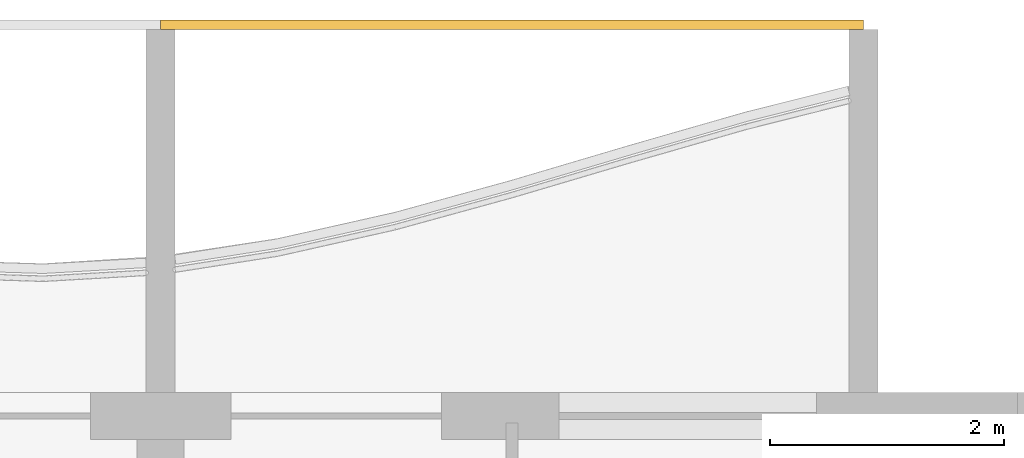
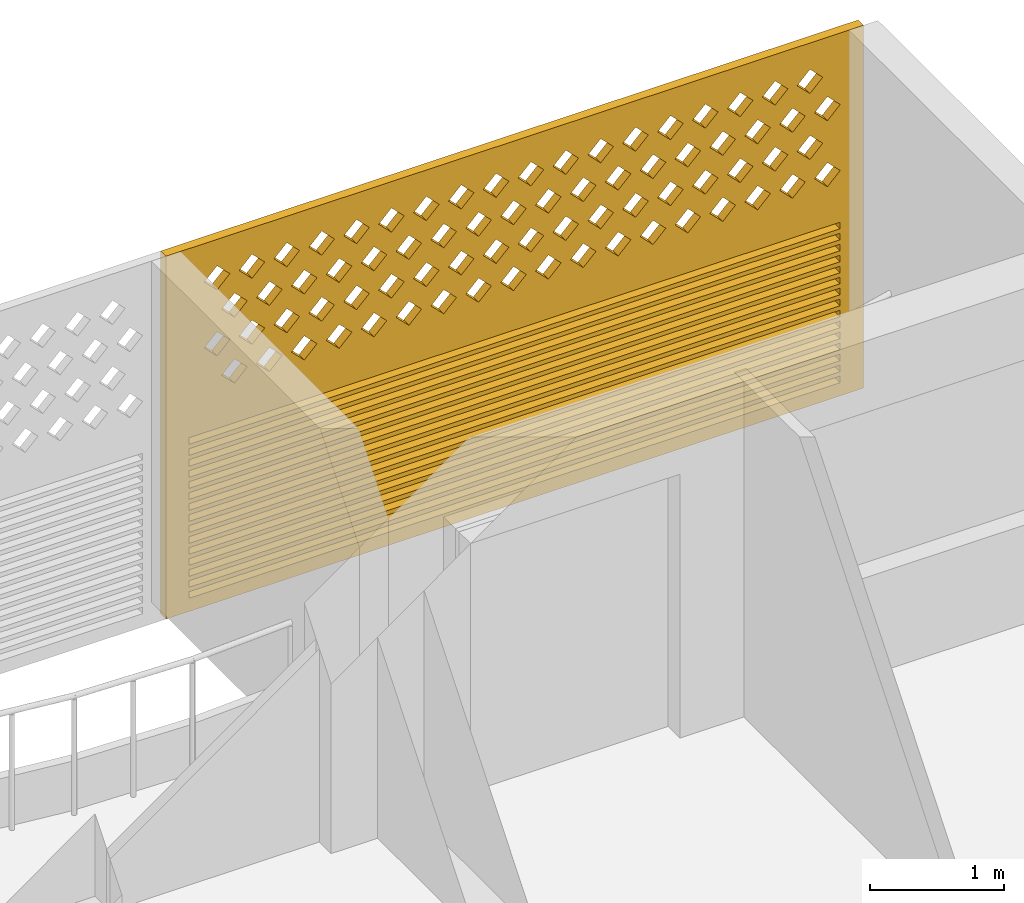
# One storey, part 44 of 44: 1 covering.
"""IFC4 building model written with IfcOpenShell, lengths in metres."""

import ifcopenshell
import ifcopenshell.guid

model = None  # the IFC model being written
_history = None  # IfcOwnerHistory: only IFC2X3 demands one
_inside = {}  # id of a spatial element -> (the spatial element, [elements in it])
_under = {}  # id of a project, library or spatial element -> (it, [spatial elements below it])
_declared = {}  # id of a project -> (the project, [libraries it declares])
_typed = {}  # id of a type object -> (the type object, [elements of that type])
_made_of = {}  # id of a material, layer set ... -> (it, [elements and type objects made of it])


def new_model(schema):
    """Start an empty IFC model of exactly this schema.

    Asked for "IFC4X3", IfcOpenShell would pick the latest addendum, in which some entities
    have other attributes; the version numbers below select the first issue.
    IFC2X3 requires an IfcOwnerHistory on every rooted entity: one is made here for all.
    """
    global model, _history
    if schema == "IFC4X3":
        model = ifcopenshell.file(schema_version=(4, 3, 0, 0))
    else:
        model = ifcopenshell.file(schema=schema)
    _inside.clear()
    _under.clear()
    _declared.clear()
    _typed.clear()
    _made_of.clear()
    _history = None
    if model.schema == "IFC2X3":
        org = make("IfcOrganization", Name="unknown")
        user = make(
            "IfcPersonAndOrganization",
            ThePerson=make("IfcPerson", FamilyName="unknown"),
            TheOrganization=org,
        )
        app = make(
            "IfcApplication",
            ApplicationDeveloper=org,
            Version="unknown",
            ApplicationFullName="unknown",
            ApplicationIdentifier="unknown",
        )
        _history = make(
            "IfcOwnerHistory",
            OwningUser=user,
            OwningApplication=app,
            ChangeAction="ADDED",
            CreationDate=0,
        )
    return model


def make(cls, **values):
    """One entity of the class cls with the attributes given. An attribute that is None is left unset."""
    return model.create_entity(
        cls, **{name: value for name, value in values.items() if value is not None}
    )


def rooted(cls, **values):
    """An entity with a GlobalId (a new one), such as an element, a storey or a relation."""
    return make(cls, GlobalId=ifcopenshell.guid.new(), OwnerHistory=_history, **values)


def si_unit(unit_type, name, prefix=None):
    """IfcSIUnit, for example si_unit("LENGTHUNIT", "METRE", prefix="MILLI")."""
    return make("IfcSIUnit", UnitType=unit_type, Prefix=prefix, Name=name)


def assignment(units):
    """IfcUnitAssignment: the units of a project."""
    return None if units is None else make("IfcUnitAssignment", Units=units)


def point(xyz):
    """IfcCartesianPoint."""
    return None if xyz is None else make("IfcCartesianPoint", Coordinates=xyz)


def direction(xyz):
    """IfcDirection."""
    return None if xyz is None else make("IfcDirection", DirectionRatios=xyz)


def frame(location, z_axis=None, x_axis=None):
    """IfcAxis2Placement3D, a coordinate frame: its origin and axes. An axis left out is left unset."""
    return make(
        "IfcAxis2Placement3D",
        Location=point(location),
        Axis=direction(z_axis),
        RefDirection=direction(x_axis),
    )


def origin():
    """The frame at (0, 0, 0) with its axes left unset."""
    return frame((0.0, 0.0, 0.0))


def place(relative_to, where):
    """IfcLocalPlacement: puts the frame where relative to a parent placement (None: the world)."""
    return make(
        "IfcLocalPlacement", PlacementRelTo=relative_to, RelativePlacement=where
    )


def context(
    kind, dimensions, precision=None, world=None, true_north=None, identifier=None
):
    """IfcGeometricRepresentationContext, for example the 3D "Model" context."""
    return make(
        "IfcGeometricRepresentationContext",
        ContextIdentifier=identifier,
        ContextType=kind,
        CoordinateSpaceDimension=dimensions,
        Precision=precision,
        WorldCoordinateSystem=world,
        TrueNorth=true_north,
    )


def subcontext(parent, identifier, kind, view, scale=None):
    """IfcGeometricRepresentationSubContext, for example "Body" below "Model"."""
    return make(
        "IfcGeometricRepresentationSubContext",
        ContextIdentifier=identifier,
        ContextType=kind,
        ParentContext=parent,
        TargetScale=scale,
        TargetView=view,
    )


def project(units=None, contexts=None):
    """IfcProject with its units and contexts."""
    return rooted(
        "IfcProject",
        Name="project",
        RepresentationContexts=contexts,
        UnitsInContext=assignment(units),
    )


def spatial(cls, under=None, at=None, **own):
    """A site, building, storey or space (cls), placed at a placement, below another one or the project."""
    s = rooted(cls, ObjectPlacement=at, **own)
    if under is not None:
        _under.setdefault(under.id(), (under, []))[1].append(s)
    return s


def polyline(points):
    """IfcPolyline through the points."""
    return make("IfcPolyline", Points=[point(p) for p in points])


def outline(outer, holes=None, kind="AREA"):
    """IfcArbitraryClosedProfileDef: a profile drawn as a closed curve; with holes, ...WithVoids."""
    if holes is None:
        return make("IfcArbitraryClosedProfileDef", ProfileType=kind, OuterCurve=outer)
    return make(
        "IfcArbitraryProfileDefWithVoids",
        ProfileType=kind,
        OuterCurve=outer,
        InnerCurves=holes,
    )


def extrude(swept, where, along, depth):
    """IfcExtrudedAreaSolid: the profile swept, set in the frame where, extruded along a direction by depth."""
    return make(
        "IfcExtrudedAreaSolid",
        SweptArea=swept,
        Position=where,
        ExtrudedDirection=direction(along),
        Depth=depth,
    )


def shape(context_of_items, identifier, shape_type, items):
    """IfcShapeRepresentation: the items that make up one representation, for example the "Body"."""
    return make(
        "IfcShapeRepresentation",
        ContextOfItems=context_of_items,
        RepresentationIdentifier=identifier,
        RepresentationType=shape_type,
        Items=items,
    )


def source(mapping_origin, context_of_items, identifier, shape_type, items):
    """IfcRepresentationMap: a shape defined once, which mapped items show again and again."""
    return make(
        "IfcRepresentationMap",
        MappingOrigin=mapping_origin,
        MappedRepresentation=shape(context_of_items, identifier, shape_type, items),
    )


def transform(
    local_origin,
    x_axis=None,
    y_axis=None,
    z_axis=None,
    scale=None,
    scale2=None,
    scale3=None,
    uniform=True,
):
    """IfcCartesianTransformationOperator3D, or its non-uniform kind. x_axis, y_axis, z_axis: its Axis1, 2, 3."""
    if uniform:
        return make(
            "IfcCartesianTransformationOperator3D",
            Axis1=direction(x_axis),
            Axis2=direction(y_axis),
            LocalOrigin=point(local_origin),
            Scale=scale,
            Axis3=direction(z_axis),
        )
    return make(
        "IfcCartesianTransformationOperator3DnonUniform",
        Axis1=direction(x_axis),
        Axis2=direction(y_axis),
        LocalOrigin=point(local_origin),
        Scale=scale,
        Axis3=direction(z_axis),
        Scale2=scale2,
        Scale3=scale3,
    )


def mapped(mapping_source, mapping_target):
    """IfcMappedItem: shows the shape of a source again, moved by a transform."""
    return make(
        "IfcMappedItem", MappingSource=mapping_source, MappingTarget=mapping_target
    )


def material(Name=None, Category=None):
    """IfcMaterial."""
    return make("IfcMaterial", Name=Name, Category=Category)


def material_profile(
    of_material, cross_section, Name=None, Category=None, Priority=None
):
    """IfcMaterialProfile: a cross section and its material."""
    return make(
        "IfcMaterialProfile",
        Name=Name,
        Material=of_material,
        Profile=cross_section,
        Priority=Priority,
        Category=Category,
    )


def profile_set(profiles, Name=None, composite=None):
    """IfcMaterialProfileSet."""
    return make(
        "IfcMaterialProfileSet",
        Name=Name,
        MaterialProfiles=profiles,
        CompositeProfile=composite,
    )


def made_of(thing, what):
    """Note that an element or type object is made of a material, layer set ...; save() writes the relation."""
    if what is not None:
        _made_of.setdefault(what.id(), (what, []))[1].append(thing)
    return thing


def type_object(cls, material=None, **own):
    """A type object (cls), such as IfcWallType, which elements share."""
    return made_of(rooted(cls, **own), material)


def element(
    cls,
    number,
    at=None,
    inside=None,
    cuts=None,
    type_object=None,
    material=None,
    context=None,
    identifier="Body",
    shape_type=None,
    held_by="IfcProductDefinitionShape",
    body=None,
    shapes=None,
    **own,
):
    """One element of the class cls, such as IfcWall. Its Tag is "e" and its number.

    at: its placement. inside: the storey or other place that contains it. cuts: it is an
    opening in that element (IfcRelVoidsElement). A single representation is given by context,
    identifier, shape_type and body (its items); several are given by shapes. held_by: the class
    of the entity that holds the representations. save() writes the other relations.
    """
    e = rooted(cls, Tag="e%d" % number, ObjectPlacement=at, **own)
    if body is not None:
        shapes = [shape(context, identifier, shape_type, body)]
    if shapes is not None:
        e.Representation = make(held_by, Representations=shapes)
    if inside is not None:
        _inside.setdefault(inside.id(), (inside, []))[1].append(e)
    if cuts is not None:
        rooted(
            "IfcRelVoidsElement", RelatingBuildingElement=cuts, RelatedOpeningElement=e
        )
    if type_object is not None:
        _typed.setdefault(type_object.id(), (type_object, []))[1].append(e)
    return made_of(e, material)


def aggregate(whole, parts):
    """IfcRelAggregates: a whole, such as a stair, and the parts it consists of."""
    return rooted("IfcRelAggregates", RelatingObject=whole, RelatedObjects=parts)


def save(model, path):
    """Write the relations noted so far, then the file.

    IfcRelAggregates (storeys below a building ...), IfcRelContainedInSpatialStructure (elements
    in a storey), IfcRelDefinesByType, IfcRelAssociatesMaterial and IfcRelDeclares: one each for
    every whole, place, type object, material and project.
    """
    for whole, parts in _under.values():
        aggregate(whole, parts)
    for where, things in _inside.values():
        rooted(
            "IfcRelContainedInSpatialStructure",
            RelatedElements=things,
            RelatingStructure=where,
        )
    for kind, things in _typed.values():
        rooted("IfcRelDefinesByType", RelatedObjects=things, RelatingType=kind)
    for what, things in _made_of.values():
        rooted("IfcRelAssociatesMaterial", RelatedObjects=things, RelatingMaterial=what)
    for by, libraries in _declared.values():
        rooted("IfcRelDeclares", RelatingContext=by, RelatedDefinitions=libraries)
    model.write(path)


model = new_model("IFC4")

# Units and contexts
model_context = context("Model", 3, precision=1e-05, world=origin(), true_north=direction((0.0, 1.0)))
body_context = subcontext(model_context, "Body", "Model", "MODEL_VIEW")
ifc_project = project(units=[si_unit("LENGTHUNIT", "METRE"), si_unit("AREAUNIT", "SQUARE_METRE"), si_unit("VOLUMEUNIT", "CUBIC_METRE"), si_unit("PLANEANGLEUNIT", "RADIAN"), si_unit("MASSUNIT", "GRAM", prefix="KILO")], contexts=[model_context])

# Site, building, storey
site_placement = place(None, origin())
site = spatial("IfcSite", under=ifc_project, at=site_placement, CompositionType="ELEMENT")
building_placement = place(site_placement, origin())
building = spatial("IfcBuilding", under=site, at=building_placement, Name="Poui Terraces", CompositionType="ELEMENT")
storey_placement = place(building_placement, frame((0.0, 0.0, 26.699951171875)))
storey = spatial("IfcBuildingStorey", under=building, at=storey_placement, Name="L06", CompositionType="ELEMENT", Elevation=26.699951171875)

# Covering
ifc_material = material(Name="Terracotta screen", Category="masonry")
ifc_material_profile = material_profile(ifc_material, outline(polyline([(-3.0, -1.64990234375), (3.0, -1.64990234375), (3.0, 1.64990234375), (-3.0, 1.64990234375), (-3.0, -1.64990234375)]), holes=[polyline([(-2.800048828125, 0.39990234375), (-2.68994140625, 0.2900390625), (-2.580078125, 0.39990234375), (-2.68994140625, 0.510009765625), (-2.800048828125, 0.39990234375)]), polyline([(-2.5, 0.39990234375), (-2.389892578125, 0.2900390625), (-2.280029296875, 0.39990234375), (-2.389892578125, 0.510009765625), (-2.5, 0.39990234375)]), polyline([(-2.199951171875, 0.39990234375), (-2.090087890625, 0.2900390625), (-1.97998046875, 0.39990234375), (-2.090087890625, 0.510009765625), (-2.199951171875, 0.39990234375)]), polyline([(-1.89990234375, 0.39990234375), (-1.7900390625, 0.2900390625), (-1.679931640625, 0.39990234375), (-1.7900390625, 0.510009765625), (-1.89990234375, 0.39990234375)]), polyline([(-1.60009765625, 0.39990234375), (-1.489990234375, 0.2900390625), (-1.3798828125, 0.39990234375), (-1.489990234375, 0.510009765625), (-1.60009765625, 0.39990234375)]), polyline([(-1.300048828125, 0.39990234375), (-1.18994140625, 0.2900390625), (-1.080078125, 0.39990234375), (-1.18994140625, 0.510009765625), (-1.300048828125, 0.39990234375)]), polyline([(-1.0, 0.39990234375), (-0.889892578125, 0.2900390625), (-0.780029296875, 0.39990234375), (-0.889892578125, 0.510009765625), (-1.0, 0.39990234375)]), polyline([(-0.699951171875, 0.39990234375), (-0.590087890625, 0.2900390625), (-0.47998046875, 0.39990234375), (-0.590087890625, 0.510009765625), (-0.699951171875, 0.39990234375)]), polyline([(-0.39990234375, 0.39990234375), (-0.2900390625, 0.2900390625), (-0.179931640625, 0.39990234375), (-0.2900390625, 0.510009765625), (-0.39990234375, 0.39990234375)]), polyline([(-0.10009765625, 0.39990234375), (0.010009765625, 0.2900390625), (0.1201171875, 0.39990234375), (0.010009765625, 0.510009765625), (-0.10009765625, 0.39990234375)]), polyline([(0.199951171875, 0.39990234375), (0.31005859375, 0.2900390625), (0.419921875, 0.39990234375), (0.31005859375, 0.510009765625), (0.199951171875, 0.39990234375)]), polyline([(0.5, 0.39990234375), (0.610107421875, 0.2900390625), (0.719970703125, 0.39990234375), (0.610107421875, 0.510009765625), (0.5, 0.39990234375)]), polyline([(0.800048828125, 0.39990234375), (0.909912109375, 0.2900390625), (1.02001953125, 0.39990234375), (0.909912109375, 0.510009765625), (0.800048828125, 0.39990234375)]), polyline([(1.10009765625, 0.39990234375), (1.2099609375, 0.2900390625), (1.320068359375, 0.39990234375), (1.2099609375, 0.510009765625), (1.10009765625, 0.39990234375)]), polyline([(1.39990234375, 0.39990234375), (1.510009765625, 0.2900390625), (1.6201171875, 0.39990234375), (1.510009765625, 0.510009765625), (1.39990234375, 0.39990234375)]), polyline([(1.699951171875, 0.39990234375), (1.81005859375, 0.2900390625), (1.919921875, 0.39990234375), (1.81005859375, 0.510009765625), (1.699951171875, 0.39990234375)]), polyline([(2.0, 0.39990234375), (2.110107421875, 0.2900390625), (2.219970703125, 0.39990234375), (2.110107421875, 0.510009765625), (2.0, 0.39990234375)]), polyline([(2.300048828125, 0.39990234375), (2.409912109375, 0.2900390625), (2.52001953125, 0.39990234375), (2.409912109375, 0.510009765625), (2.300048828125, 0.39990234375)]), polyline([(-2.64990234375, 0.699951171875), (-2.5400390625, 0.590087890625), (-2.429931640625, 0.699951171875), (-2.5400390625, 0.81005859375), (-2.64990234375, 0.699951171875)]), polyline([(-2.35009765625, 0.699951171875), (-2.239990234375, 0.590087890625), (-2.1298828125, 0.699951171875), (-2.239990234375, 0.81005859375), (-2.35009765625, 0.699951171875)]), polyline([(-2.050048828125, 0.699951171875), (-1.93994140625, 0.590087890625), (-1.830078125, 0.699951171875), (-1.93994140625, 0.81005859375), (-2.050048828125, 0.699951171875)]), polyline([(-1.75, 0.699951171875), (-1.639892578125, 0.590087890625), (-1.530029296875, 0.699951171875), (-1.639892578125, 0.81005859375), (-1.75, 0.699951171875)]), polyline([(-1.449951171875, 0.699951171875), (-1.340087890625, 0.590087890625), (-1.22998046875, 0.699951171875), (-1.340087890625, 0.81005859375), (-1.449951171875, 0.699951171875)]), polyline([(-1.14990234375, 0.699951171875), (-1.0400390625, 0.590087890625), (-0.929931640625, 0.699951171875), (-1.0400390625, 0.81005859375), (-1.14990234375, 0.699951171875)]), polyline([(-0.85009765625, 0.699951171875), (-0.739990234375, 0.590087890625), (-0.6298828125, 0.699951171875), (-0.739990234375, 0.81005859375), (-0.85009765625, 0.699951171875)]), polyline([(-0.550048828125, 0.699951171875), (-0.43994140625, 0.590087890625), (-0.330078125, 0.699951171875), (-0.43994140625, 0.81005859375), (-0.550048828125, 0.699951171875)]), polyline([(-0.25, 0.699951171875), (-0.139892578125, 0.590087890625), (-0.030029296875, 0.699951171875), (-0.139892578125, 0.81005859375), (-0.25, 0.699951171875)]), polyline([(0.050048828125, 0.699951171875), (0.159912109375, 0.590087890625), (0.27001953125, 0.699951171875), (0.159912109375, 0.81005859375), (0.050048828125, 0.699951171875)]), polyline([(0.35009765625, 0.699951171875), (0.4599609375, 0.590087890625), (0.570068359375, 0.699951171875), (0.4599609375, 0.81005859375), (0.35009765625, 0.699951171875)]), polyline([(0.64990234375, 0.699951171875), (0.760009765625, 0.590087890625), (0.8701171875, 0.699951171875), (0.760009765625, 0.81005859375), (0.64990234375, 0.699951171875)]), polyline([(0.949951171875, 0.699951171875), (1.06005859375, 0.590087890625), (1.169921875, 0.699951171875), (1.06005859375, 0.81005859375), (0.949951171875, 0.699951171875)]), polyline([(1.25, 0.699951171875), (1.360107421875, 0.590087890625), (1.469970703125, 0.699951171875), (1.360107421875, 0.81005859375), (1.25, 0.699951171875)]), polyline([(1.550048828125, 0.699951171875), (1.659912109375, 0.590087890625), (1.77001953125, 0.699951171875), (1.659912109375, 0.81005859375), (1.550048828125, 0.699951171875)]), polyline([(1.85009765625, 0.699951171875), (1.9599609375, 0.590087890625), (2.070068359375, 0.699951171875), (1.9599609375, 0.81005859375), (1.85009765625, 0.699951171875)]), polyline([(2.14990234375, 0.699951171875), (2.260009765625, 0.590087890625), (2.3701171875, 0.699951171875), (2.260009765625, 0.81005859375), (2.14990234375, 0.699951171875)]), polyline([(2.449951171875, 0.699951171875), (2.56005859375, 0.590087890625), (2.669921875, 0.699951171875), (2.56005859375, 0.81005859375), (2.449951171875, 0.699951171875)]), polyline([(-2.800048828125, 1.0), (-2.68994140625, 0.889892578125), (-2.580078125, 1.0), (-2.68994140625, 1.110107421875), (-2.800048828125, 1.0)]), polyline([(-2.5, 1.0), (-2.389892578125, 0.889892578125), (-2.280029296875, 1.0), (-2.389892578125, 1.110107421875), (-2.5, 1.0)]), polyline([(-2.199951171875, 1.0), (-2.090087890625, 0.889892578125), (-1.97998046875, 1.0), (-2.090087890625, 1.110107421875), (-2.199951171875, 1.0)]), polyline([(-1.89990234375, 1.0), (-1.7900390625, 0.889892578125), (-1.679931640625, 1.0), (-1.7900390625, 1.110107421875), (-1.89990234375, 1.0)]), polyline([(-1.60009765625, 1.0), (-1.489990234375, 0.889892578125), (-1.3798828125, 1.0), (-1.489990234375, 1.110107421875), (-1.60009765625, 1.0)]), polyline([(-1.300048828125, 1.0), (-1.18994140625, 0.889892578125), (-1.080078125, 1.0), (-1.18994140625, 1.110107421875), (-1.300048828125, 1.0)]), polyline([(-1.0, 1.0), (-0.889892578125, 0.889892578125), (-0.780029296875, 1.0), (-0.889892578125, 1.110107421875), (-1.0, 1.0)]), polyline([(-0.699951171875, 1.0), (-0.590087890625, 0.889892578125), (-0.47998046875, 1.0), (-0.590087890625, 1.110107421875), (-0.699951171875, 1.0)]), polyline([(-0.39990234375, 1.0), (-0.2900390625, 0.889892578125), (-0.179931640625, 1.0), (-0.2900390625, 1.110107421875), (-0.39990234375, 1.0)]), polyline([(-0.10009765625, 1.0), (0.010009765625, 0.889892578125), (0.1201171875, 1.0), (0.010009765625, 1.110107421875), (-0.10009765625, 1.0)]), polyline([(0.199951171875, 1.0), (0.31005859375, 0.889892578125), (0.419921875, 1.0), (0.31005859375, 1.110107421875), (0.199951171875, 1.0)]), polyline([(0.5, 1.0), (0.610107421875, 0.889892578125), (0.719970703125, 1.0), (0.610107421875, 1.110107421875), (0.5, 1.0)]), polyline([(0.800048828125, 1.0), (0.909912109375, 0.889892578125), (1.02001953125, 1.0), (0.909912109375, 1.110107421875), (0.800048828125, 1.0)]), polyline([(1.10009765625, 1.0), (1.2099609375, 0.889892578125), (1.320068359375, 1.0), (1.2099609375, 1.110107421875), (1.10009765625, 1.0)]), polyline([(1.39990234375, 1.0), (1.510009765625, 0.889892578125), (1.6201171875, 1.0), (1.510009765625, 1.110107421875), (1.39990234375, 1.0)]), polyline([(1.699951171875, 1.0), (1.81005859375, 0.889892578125), (1.919921875, 1.0), (1.81005859375, 1.110107421875), (1.699951171875, 1.0)]), polyline([(2.0, 1.0), (2.110107421875, 0.889892578125), (2.219970703125, 1.0), (2.110107421875, 1.110107421875), (2.0, 1.0)]), polyline([(2.300048828125, 1.0), (2.409912109375, 0.889892578125), (2.52001953125, 1.0), (2.409912109375, 1.110107421875), (2.300048828125, 1.0)]), polyline([(-2.64990234375, 1.300048828125), (-2.5400390625, 1.18994140625), (-2.429931640625, 1.300048828125), (-2.5400390625, 1.409912109375), (-2.64990234375, 1.300048828125)]), polyline([(-2.35009765625, 1.300048828125), (-2.239990234375, 1.18994140625), (-2.1298828125, 1.300048828125), (-2.239990234375, 1.409912109375), (-2.35009765625, 1.300048828125)]), polyline([(-2.050048828125, 1.300048828125), (-1.93994140625, 1.18994140625), (-1.830078125, 1.300048828125), (-1.93994140625, 1.409912109375), (-2.050048828125, 1.300048828125)]), polyline([(-1.75, 1.300048828125), (-1.639892578125, 1.18994140625), (-1.530029296875, 1.300048828125), (-1.639892578125, 1.409912109375), (-1.75, 1.300048828125)]), polyline([(-1.449951171875, 1.300048828125), (-1.340087890625, 1.18994140625), (-1.22998046875, 1.300048828125), (-1.340087890625, 1.409912109375), (-1.449951171875, 1.300048828125)]), polyline([(-1.14990234375, 1.300048828125), (-1.0400390625, 1.18994140625), (-0.929931640625, 1.300048828125), (-1.0400390625, 1.409912109375), (-1.14990234375, 1.300048828125)]), polyline([(-0.85009765625, 1.300048828125), (-0.739990234375, 1.18994140625), (-0.6298828125, 1.300048828125), (-0.739990234375, 1.409912109375), (-0.85009765625, 1.300048828125)]), polyline([(-0.550048828125, 1.300048828125), (-0.43994140625, 1.18994140625), (-0.330078125, 1.300048828125), (-0.43994140625, 1.409912109375), (-0.550048828125, 1.300048828125)]), polyline([(-0.25, 1.300048828125), (-0.139892578125, 1.18994140625), (-0.030029296875, 1.300048828125), (-0.139892578125, 1.409912109375), (-0.25, 1.300048828125)]), polyline([(0.050048828125, 1.300048828125), (0.159912109375, 1.18994140625), (0.27001953125, 1.300048828125), (0.159912109375, 1.409912109375), (0.050048828125, 1.300048828125)]), polyline([(0.35009765625, 1.300048828125), (0.4599609375, 1.18994140625), (0.570068359375, 1.300048828125), (0.4599609375, 1.409912109375), (0.35009765625, 1.300048828125)]), polyline([(0.64990234375, 1.300048828125), (0.760009765625, 1.18994140625), (0.8701171875, 1.300048828125), (0.760009765625, 1.409912109375), (0.64990234375, 1.300048828125)]), polyline([(0.949951171875, 1.300048828125), (1.06005859375, 1.18994140625), (1.169921875, 1.300048828125), (1.06005859375, 1.409912109375), (0.949951171875, 1.300048828125)]), polyline([(1.25, 1.300048828125), (1.360107421875, 1.18994140625), (1.469970703125, 1.300048828125), (1.360107421875, 1.409912109375), (1.25, 1.300048828125)]), polyline([(1.550048828125, 1.300048828125), (1.659912109375, 1.18994140625), (1.77001953125, 1.300048828125), (1.659912109375, 1.409912109375), (1.550048828125, 1.300048828125)]), polyline([(1.85009765625, 1.300048828125), (1.9599609375, 1.18994140625), (2.070068359375, 1.300048828125), (1.9599609375, 1.409912109375), (1.85009765625, 1.300048828125)]), polyline([(2.14990234375, 1.300048828125), (2.260009765625, 1.18994140625), (2.3701171875, 1.300048828125), (2.260009765625, 1.409912109375), (2.14990234375, 1.300048828125)]), polyline([(2.449951171875, 1.300048828125), (2.56005859375, 1.18994140625), (2.669921875, 1.300048828125), (2.56005859375, 1.409912109375), (2.449951171875, 1.300048828125)]), polyline([(-2.800048828125, -1.530029296875), (2.800048828125, -1.530029296875), (2.800048828125, -1.469970703125), (-2.800048828125, -1.469970703125), (-2.800048828125, -1.530029296875)]), polyline([(-2.800048828125, -1.429931640625), (2.800048828125, -1.429931640625), (2.800048828125, -1.3701171875), (-2.800048828125, -1.3701171875), (-2.800048828125, -1.429931640625)]), polyline([(-2.800048828125, -1.330078125), (2.800048828125, -1.330078125), (2.800048828125, -1.27001953125), (-2.800048828125, -1.27001953125), (-2.800048828125, -1.330078125)]), polyline([(-2.800048828125, -1.22998046875), (2.800048828125, -1.22998046875), (2.800048828125, -1.169921875), (-2.800048828125, -1.169921875), (-2.800048828125, -1.22998046875)]), polyline([(-2.800048828125, -1.1298828125), (2.800048828125, -1.1298828125), (2.800048828125, -1.070068359375), (-2.800048828125, -1.070068359375), (-2.800048828125, -1.1298828125)]), polyline([(-2.800048828125, -1.030029296875), (2.800048828125, -1.030029296875), (2.800048828125, -0.969970703125), (-2.800048828125, -0.969970703125), (-2.800048828125, -1.030029296875)]), polyline([(-2.800048828125, -0.929931640625), (2.800048828125, -0.929931640625), (2.800048828125, -0.8701171875), (-2.800048828125, -0.8701171875), (-2.800048828125, -0.929931640625)]), polyline([(-2.800048828125, -0.830078125), (2.800048828125, -0.830078125), (2.800048828125, -0.77001953125), (-2.800048828125, -0.77001953125), (-2.800048828125, -0.830078125)]), polyline([(-2.800048828125, -0.72998046875), (2.800048828125, -0.72998046875), (2.800048828125, -0.669921875), (-2.800048828125, -0.669921875), (-2.800048828125, -0.72998046875)]), polyline([(-2.800048828125, -0.6298828125), (2.800048828125, -0.6298828125), (2.800048828125, -0.570068359375), (-2.800048828125, -0.570068359375), (-2.800048828125, -0.6298828125)]), polyline([(-2.800048828125, -0.530029296875), (2.800048828125, -0.530029296875), (2.800048828125, -0.469970703125), (-2.800048828125, -0.469970703125), (-2.800048828125, -0.530029296875)]), polyline([(-2.800048828125, -0.429931640625), (2.800048828125, -0.429931640625), (2.800048828125, -0.3701171875), (-2.800048828125, -0.3701171875), (-2.800048828125, -0.429931640625)]), polyline([(-2.800048828125, -0.330078125), (2.800048828125, -0.330078125), (2.800048828125, -0.27001953125), (-2.800048828125, -0.27001953125), (-2.800048828125, -0.330078125)]), polyline([(-2.800048828125, -0.22998046875), (2.800048828125, -0.22998046875), (2.800048828125, -0.169921875), (-2.800048828125, -0.169921875), (-2.800048828125, -0.22998046875)]), polyline([(-2.800048828125, -0.1298828125), (2.800048828125, -0.1298828125), (2.800048828125, -0.070068359375), (-2.800048828125, -0.070068359375), (-2.800048828125, -0.1298828125)])]), Name="TERRACOTTA SCREEN AND JALOUSIE LOUVRE 6000X3300")
ifc_profile_set = profile_set([ifc_material_profile], Name="Terracotta screen")
covering_type = type_object("IfcCoveringType", Name="TERRACOTTA SCREEN AND JALOUSIE LOUVRE 6000X3300", PredefinedType="CLADDING", material=ifc_profile_set)
shared_shape = source(origin(), body_context, "Body", "SweptSolid", [
    extrude(outline(polyline([(-3.0, -1.64990234375), (3.0, -1.64990234375), (3.0, 1.64990234375), (-3.0, 1.64990234375), (-3.0, -1.64990234375)]), holes=[polyline([(-2.800048828125, 0.39990234375), (-2.68994140625, 0.2900390625), (-2.580078125, 0.39990234375), (-2.68994140625, 0.510009765625), (-2.800048828125, 0.39990234375)]), polyline([(-2.5, 0.39990234375), (-2.389892578125, 0.2900390625), (-2.280029296875, 0.39990234375), (-2.389892578125, 0.510009765625), (-2.5, 0.39990234375)]), polyline([(-2.199951171875, 0.39990234375), (-2.090087890625, 0.2900390625), (-1.97998046875, 0.39990234375), (-2.090087890625, 0.510009765625), (-2.199951171875, 0.39990234375)]), polyline([(-1.89990234375, 0.39990234375), (-1.7900390625, 0.2900390625), (-1.679931640625, 0.39990234375), (-1.7900390625, 0.510009765625), (-1.89990234375, 0.39990234375)]), polyline([(-1.60009765625, 0.39990234375), (-1.489990234375, 0.2900390625), (-1.3798828125, 0.39990234375), (-1.489990234375, 0.510009765625), (-1.60009765625, 0.39990234375)]), polyline([(-1.300048828125, 0.39990234375), (-1.18994140625, 0.2900390625), (-1.080078125, 0.39990234375), (-1.18994140625, 0.510009765625), (-1.300048828125, 0.39990234375)]), polyline([(-1.0, 0.39990234375), (-0.889892578125, 0.2900390625), (-0.780029296875, 0.39990234375), (-0.889892578125, 0.510009765625), (-1.0, 0.39990234375)]), polyline([(-0.699951171875, 0.39990234375), (-0.590087890625, 0.2900390625), (-0.47998046875, 0.39990234375), (-0.590087890625, 0.510009765625), (-0.699951171875, 0.39990234375)]), polyline([(-0.39990234375, 0.39990234375), (-0.2900390625, 0.2900390625), (-0.179931640625, 0.39990234375), (-0.2900390625, 0.510009765625), (-0.39990234375, 0.39990234375)]), polyline([(-0.10009765625, 0.39990234375), (0.010009765625, 0.2900390625), (0.1201171875, 0.39990234375), (0.010009765625, 0.510009765625), (-0.10009765625, 0.39990234375)]), polyline([(0.199951171875, 0.39990234375), (0.31005859375, 0.2900390625), (0.419921875, 0.39990234375), (0.31005859375, 0.510009765625), (0.199951171875, 0.39990234375)]), polyline([(0.5, 0.39990234375), (0.610107421875, 0.2900390625), (0.719970703125, 0.39990234375), (0.610107421875, 0.510009765625), (0.5, 0.39990234375)]), polyline([(0.800048828125, 0.39990234375), (0.909912109375, 0.2900390625), (1.02001953125, 0.39990234375), (0.909912109375, 0.510009765625), (0.800048828125, 0.39990234375)]), polyline([(1.10009765625, 0.39990234375), (1.2099609375, 0.2900390625), (1.320068359375, 0.39990234375), (1.2099609375, 0.510009765625), (1.10009765625, 0.39990234375)]), polyline([(1.39990234375, 0.39990234375), (1.510009765625, 0.2900390625), (1.6201171875, 0.39990234375), (1.510009765625, 0.510009765625), (1.39990234375, 0.39990234375)]), polyline([(1.699951171875, 0.39990234375), (1.81005859375, 0.2900390625), (1.919921875, 0.39990234375), (1.81005859375, 0.510009765625), (1.699951171875, 0.39990234375)]), polyline([(2.0, 0.39990234375), (2.110107421875, 0.2900390625), (2.219970703125, 0.39990234375), (2.110107421875, 0.510009765625), (2.0, 0.39990234375)]), polyline([(2.300048828125, 0.39990234375), (2.409912109375, 0.2900390625), (2.52001953125, 0.39990234375), (2.409912109375, 0.510009765625), (2.300048828125, 0.39990234375)]), polyline([(-2.64990234375, 0.699951171875), (-2.5400390625, 0.590087890625), (-2.429931640625, 0.699951171875), (-2.5400390625, 0.81005859375), (-2.64990234375, 0.699951171875)]), polyline([(-2.35009765625, 0.699951171875), (-2.239990234375, 0.590087890625), (-2.1298828125, 0.699951171875), (-2.239990234375, 0.81005859375), (-2.35009765625, 0.699951171875)]), polyline([(-2.050048828125, 0.699951171875), (-1.93994140625, 0.590087890625), (-1.830078125, 0.699951171875), (-1.93994140625, 0.81005859375), (-2.050048828125, 0.699951171875)]), polyline([(-1.75, 0.699951171875), (-1.639892578125, 0.590087890625), (-1.530029296875, 0.699951171875), (-1.639892578125, 0.81005859375), (-1.75, 0.699951171875)]), polyline([(-1.449951171875, 0.699951171875), (-1.340087890625, 0.590087890625), (-1.22998046875, 0.699951171875), (-1.340087890625, 0.81005859375), (-1.449951171875, 0.699951171875)]), polyline([(-1.14990234375, 0.699951171875), (-1.0400390625, 0.590087890625), (-0.929931640625, 0.699951171875), (-1.0400390625, 0.81005859375), (-1.14990234375, 0.699951171875)]), polyline([(-0.85009765625, 0.699951171875), (-0.739990234375, 0.590087890625), (-0.6298828125, 0.699951171875), (-0.739990234375, 0.81005859375), (-0.85009765625, 0.699951171875)]), polyline([(-0.550048828125, 0.699951171875), (-0.43994140625, 0.590087890625), (-0.330078125, 0.699951171875), (-0.43994140625, 0.81005859375), (-0.550048828125, 0.699951171875)]), polyline([(-0.25, 0.699951171875), (-0.139892578125, 0.590087890625), (-0.030029296875, 0.699951171875), (-0.139892578125, 0.81005859375), (-0.25, 0.699951171875)]), polyline([(0.050048828125, 0.699951171875), (0.159912109375, 0.590087890625), (0.27001953125, 0.699951171875), (0.159912109375, 0.81005859375), (0.050048828125, 0.699951171875)]), polyline([(0.35009765625, 0.699951171875), (0.4599609375, 0.590087890625), (0.570068359375, 0.699951171875), (0.4599609375, 0.81005859375), (0.35009765625, 0.699951171875)]), polyline([(0.64990234375, 0.699951171875), (0.760009765625, 0.590087890625), (0.8701171875, 0.699951171875), (0.760009765625, 0.81005859375), (0.64990234375, 0.699951171875)]), polyline([(0.949951171875, 0.699951171875), (1.06005859375, 0.590087890625), (1.169921875, 0.699951171875), (1.06005859375, 0.81005859375), (0.949951171875, 0.699951171875)]), polyline([(1.25, 0.699951171875), (1.360107421875, 0.590087890625), (1.469970703125, 0.699951171875), (1.360107421875, 0.81005859375), (1.25, 0.699951171875)]), polyline([(1.550048828125, 0.699951171875), (1.659912109375, 0.590087890625), (1.77001953125, 0.699951171875), (1.659912109375, 0.81005859375), (1.550048828125, 0.699951171875)]), polyline([(1.85009765625, 0.699951171875), (1.9599609375, 0.590087890625), (2.070068359375, 0.699951171875), (1.9599609375, 0.81005859375), (1.85009765625, 0.699951171875)]), polyline([(2.14990234375, 0.699951171875), (2.260009765625, 0.590087890625), (2.3701171875, 0.699951171875), (2.260009765625, 0.81005859375), (2.14990234375, 0.699951171875)]), polyline([(2.449951171875, 0.699951171875), (2.56005859375, 0.590087890625), (2.669921875, 0.699951171875), (2.56005859375, 0.81005859375), (2.449951171875, 0.699951171875)]), polyline([(-2.800048828125, 1.0), (-2.68994140625, 0.889892578125), (-2.580078125, 1.0), (-2.68994140625, 1.110107421875), (-2.800048828125, 1.0)]), polyline([(-2.5, 1.0), (-2.389892578125, 0.889892578125), (-2.280029296875, 1.0), (-2.389892578125, 1.110107421875), (-2.5, 1.0)]), polyline([(-2.199951171875, 1.0), (-2.090087890625, 0.889892578125), (-1.97998046875, 1.0), (-2.090087890625, 1.110107421875), (-2.199951171875, 1.0)]), polyline([(-1.89990234375, 1.0), (-1.7900390625, 0.889892578125), (-1.679931640625, 1.0), (-1.7900390625, 1.110107421875), (-1.89990234375, 1.0)]), polyline([(-1.60009765625, 1.0), (-1.489990234375, 0.889892578125), (-1.3798828125, 1.0), (-1.489990234375, 1.110107421875), (-1.60009765625, 1.0)]), polyline([(-1.300048828125, 1.0), (-1.18994140625, 0.889892578125), (-1.080078125, 1.0), (-1.18994140625, 1.110107421875), (-1.300048828125, 1.0)]), polyline([(-1.0, 1.0), (-0.889892578125, 0.889892578125), (-0.780029296875, 1.0), (-0.889892578125, 1.110107421875), (-1.0, 1.0)]), polyline([(-0.699951171875, 1.0), (-0.590087890625, 0.889892578125), (-0.47998046875, 1.0), (-0.590087890625, 1.110107421875), (-0.699951171875, 1.0)]), polyline([(-0.39990234375, 1.0), (-0.2900390625, 0.889892578125), (-0.179931640625, 1.0), (-0.2900390625, 1.110107421875), (-0.39990234375, 1.0)]), polyline([(-0.10009765625, 1.0), (0.010009765625, 0.889892578125), (0.1201171875, 1.0), (0.010009765625, 1.110107421875), (-0.10009765625, 1.0)]), polyline([(0.199951171875, 1.0), (0.31005859375, 0.889892578125), (0.419921875, 1.0), (0.31005859375, 1.110107421875), (0.199951171875, 1.0)]), polyline([(0.5, 1.0), (0.610107421875, 0.889892578125), (0.719970703125, 1.0), (0.610107421875, 1.110107421875), (0.5, 1.0)]), polyline([(0.800048828125, 1.0), (0.909912109375, 0.889892578125), (1.02001953125, 1.0), (0.909912109375, 1.110107421875), (0.800048828125, 1.0)]), polyline([(1.10009765625, 1.0), (1.2099609375, 0.889892578125), (1.320068359375, 1.0), (1.2099609375, 1.110107421875), (1.10009765625, 1.0)]), polyline([(1.39990234375, 1.0), (1.510009765625, 0.889892578125), (1.6201171875, 1.0), (1.510009765625, 1.110107421875), (1.39990234375, 1.0)]), polyline([(1.699951171875, 1.0), (1.81005859375, 0.889892578125), (1.919921875, 1.0), (1.81005859375, 1.110107421875), (1.699951171875, 1.0)]), polyline([(2.0, 1.0), (2.110107421875, 0.889892578125), (2.219970703125, 1.0), (2.110107421875, 1.110107421875), (2.0, 1.0)]), polyline([(2.300048828125, 1.0), (2.409912109375, 0.889892578125), (2.52001953125, 1.0), (2.409912109375, 1.110107421875), (2.300048828125, 1.0)]), polyline([(-2.64990234375, 1.300048828125), (-2.5400390625, 1.18994140625), (-2.429931640625, 1.300048828125), (-2.5400390625, 1.409912109375), (-2.64990234375, 1.300048828125)]), polyline([(-2.35009765625, 1.300048828125), (-2.239990234375, 1.18994140625), (-2.1298828125, 1.300048828125), (-2.239990234375, 1.409912109375), (-2.35009765625, 1.300048828125)]), polyline([(-2.050048828125, 1.300048828125), (-1.93994140625, 1.18994140625), (-1.830078125, 1.300048828125), (-1.93994140625, 1.409912109375), (-2.050048828125, 1.300048828125)]), polyline([(-1.75, 1.300048828125), (-1.639892578125, 1.18994140625), (-1.530029296875, 1.300048828125), (-1.639892578125, 1.409912109375), (-1.75, 1.300048828125)]), polyline([(-1.449951171875, 1.300048828125), (-1.340087890625, 1.18994140625), (-1.22998046875, 1.300048828125), (-1.340087890625, 1.409912109375), (-1.449951171875, 1.300048828125)]), polyline([(-1.14990234375, 1.300048828125), (-1.0400390625, 1.18994140625), (-0.929931640625, 1.300048828125), (-1.0400390625, 1.409912109375), (-1.14990234375, 1.300048828125)]), polyline([(-0.85009765625, 1.300048828125), (-0.739990234375, 1.18994140625), (-0.6298828125, 1.300048828125), (-0.739990234375, 1.409912109375), (-0.85009765625, 1.300048828125)]), polyline([(-0.550048828125, 1.300048828125), (-0.43994140625, 1.18994140625), (-0.330078125, 1.300048828125), (-0.43994140625, 1.409912109375), (-0.550048828125, 1.300048828125)]), polyline([(-0.25, 1.300048828125), (-0.139892578125, 1.18994140625), (-0.030029296875, 1.300048828125), (-0.139892578125, 1.409912109375), (-0.25, 1.300048828125)]), polyline([(0.050048828125, 1.300048828125), (0.159912109375, 1.18994140625), (0.27001953125, 1.300048828125), (0.159912109375, 1.409912109375), (0.050048828125, 1.300048828125)]), polyline([(0.35009765625, 1.300048828125), (0.4599609375, 1.18994140625), (0.570068359375, 1.300048828125), (0.4599609375, 1.409912109375), (0.35009765625, 1.300048828125)]), polyline([(0.64990234375, 1.300048828125), (0.760009765625, 1.18994140625), (0.8701171875, 1.300048828125), (0.760009765625, 1.409912109375), (0.64990234375, 1.300048828125)]), polyline([(0.949951171875, 1.300048828125), (1.06005859375, 1.18994140625), (1.169921875, 1.300048828125), (1.06005859375, 1.409912109375), (0.949951171875, 1.300048828125)]), polyline([(1.25, 1.300048828125), (1.360107421875, 1.18994140625), (1.469970703125, 1.300048828125), (1.360107421875, 1.409912109375), (1.25, 1.300048828125)]), polyline([(1.550048828125, 1.300048828125), (1.659912109375, 1.18994140625), (1.77001953125, 1.300048828125), (1.659912109375, 1.409912109375), (1.550048828125, 1.300048828125)]), polyline([(1.85009765625, 1.300048828125), (1.9599609375, 1.18994140625), (2.070068359375, 1.300048828125), (1.9599609375, 1.409912109375), (1.85009765625, 1.300048828125)]), polyline([(2.14990234375, 1.300048828125), (2.260009765625, 1.18994140625), (2.3701171875, 1.300048828125), (2.260009765625, 1.409912109375), (2.14990234375, 1.300048828125)]), polyline([(2.449951171875, 1.300048828125), (2.56005859375, 1.18994140625), (2.669921875, 1.300048828125), (2.56005859375, 1.409912109375), (2.449951171875, 1.300048828125)]), polyline([(-2.800048828125, -1.530029296875), (2.800048828125, -1.530029296875), (2.800048828125, -1.469970703125), (-2.800048828125, -1.469970703125), (-2.800048828125, -1.530029296875)]), polyline([(-2.800048828125, -1.429931640625), (2.800048828125, -1.429931640625), (2.800048828125, -1.3701171875), (-2.800048828125, -1.3701171875), (-2.800048828125, -1.429931640625)]), polyline([(-2.800048828125, -1.330078125), (2.800048828125, -1.330078125), (2.800048828125, -1.27001953125), (-2.800048828125, -1.27001953125), (-2.800048828125, -1.330078125)]), polyline([(-2.800048828125, -1.22998046875), (2.800048828125, -1.22998046875), (2.800048828125, -1.169921875), (-2.800048828125, -1.169921875), (-2.800048828125, -1.22998046875)]), polyline([(-2.800048828125, -1.1298828125), (2.800048828125, -1.1298828125), (2.800048828125, -1.070068359375), (-2.800048828125, -1.070068359375), (-2.800048828125, -1.1298828125)]), polyline([(-2.800048828125, -1.030029296875), (2.800048828125, -1.030029296875), (2.800048828125, -0.969970703125), (-2.800048828125, -0.969970703125), (-2.800048828125, -1.030029296875)]), polyline([(-2.800048828125, -0.929931640625), (2.800048828125, -0.929931640625), (2.800048828125, -0.8701171875), (-2.800048828125, -0.8701171875), (-2.800048828125, -0.929931640625)]), polyline([(-2.800048828125, -0.830078125), (2.800048828125, -0.830078125), (2.800048828125, -0.77001953125), (-2.800048828125, -0.77001953125), (-2.800048828125, -0.830078125)]), polyline([(-2.800048828125, -0.72998046875), (2.800048828125, -0.72998046875), (2.800048828125, -0.669921875), (-2.800048828125, -0.669921875), (-2.800048828125, -0.72998046875)]), polyline([(-2.800048828125, -0.6298828125), (2.800048828125, -0.6298828125), (2.800048828125, -0.570068359375), (-2.800048828125, -0.570068359375), (-2.800048828125, -0.6298828125)]), polyline([(-2.800048828125, -0.530029296875), (2.800048828125, -0.530029296875), (2.800048828125, -0.469970703125), (-2.800048828125, -0.469970703125), (-2.800048828125, -0.530029296875)]), polyline([(-2.800048828125, -0.429931640625), (2.800048828125, -0.429931640625), (2.800048828125, -0.3701171875), (-2.800048828125, -0.3701171875), (-2.800048828125, -0.429931640625)]), polyline([(-2.800048828125, -0.330078125), (2.800048828125, -0.330078125), (2.800048828125, -0.27001953125), (-2.800048828125, -0.27001953125), (-2.800048828125, -0.330078125)]), polyline([(-2.800048828125, -0.22998046875), (2.800048828125, -0.22998046875), (2.800048828125, -0.169921875), (-2.800048828125, -0.169921875), (-2.800048828125, -0.22998046875)]), polyline([(-2.800048828125, -0.1298828125), (2.800048828125, -0.1298828125), (2.800048828125, -0.070068359375), (-2.800048828125, -0.070068359375), (-2.800048828125, -0.1298828125)])]), origin(), (0.0, 0.0, 1.0), 0.079833984375),
])
covering_placement = place(storey_placement, frame((93.0, 48.10009765625, 1.449951171875), z_axis=(0.0, 1.0, 0.0), x_axis=(-1.0, 0.0, 0.0)))
element("IfcCovering", 1, at=covering_placement, inside=storey, type_object=covering_type, Name="SOLAR SCREEN AND JALOUSIE LOUVRE", PredefinedType="CLADDING", context=body_context, shape_type="MappedRepresentation", body=[
    mapped(shared_shape, transform((0.0, 0.0, 0.0))),
])

save(model, "model.ifc")
